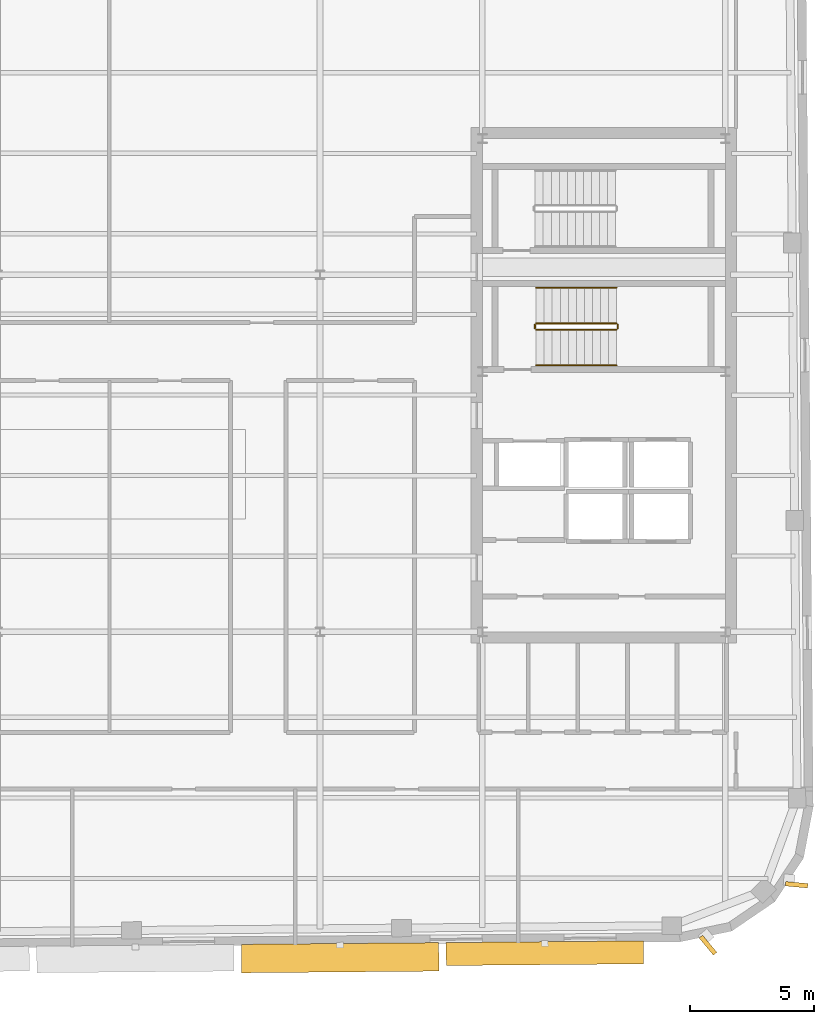
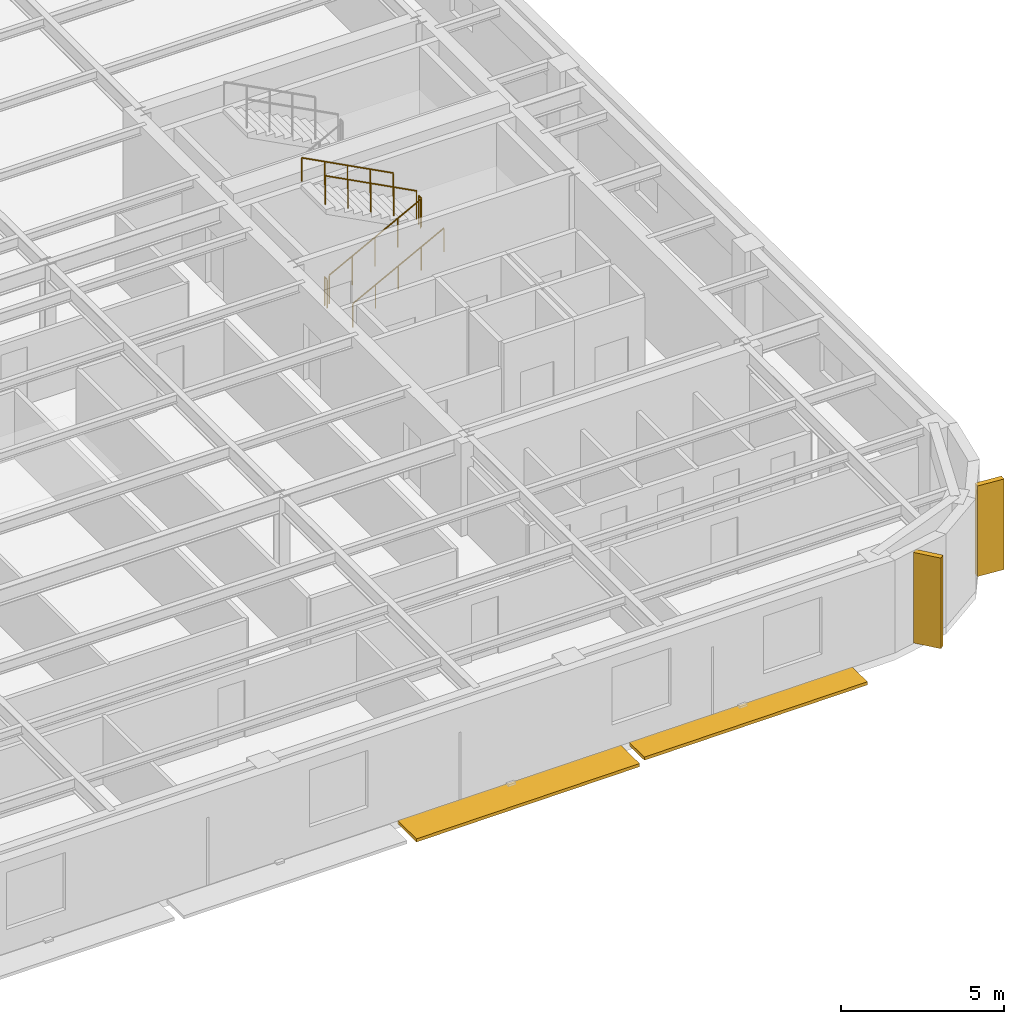
# One storey, part 13 of 15: 6 railings, 4 shading devices.
"""IFC4 building model written with IfcOpenShell, lengths in metres."""

import ifcopenshell
import ifcopenshell.guid

model = None  # the IFC model being written
_history = None  # IfcOwnerHistory: only IFC2X3 demands one
_inside = {}  # id of a spatial element -> (the spatial element, [elements in it])
_under = {}  # id of a project, library or spatial element -> (it, [spatial elements below it])
_declared = {}  # id of a project -> (the project, [libraries it declares])
_typed = {}  # id of a type object -> (the type object, [elements of that type])
_made_of = {}  # id of a material, layer set ... -> (it, [elements and type objects made of it])


def new_model(schema):
    """Start an empty IFC model of exactly this schema.

    Asked for "IFC4X3", IfcOpenShell would pick the latest addendum, in which some entities
    have other attributes; the version numbers below select the first issue.
    IFC2X3 requires an IfcOwnerHistory on every rooted entity: one is made here for all.
    """
    global model, _history
    if schema == "IFC4X3":
        model = ifcopenshell.file(schema_version=(4, 3, 0, 0))
    else:
        model = ifcopenshell.file(schema=schema)
    _inside.clear()
    _under.clear()
    _declared.clear()
    _typed.clear()
    _made_of.clear()
    _history = None
    if model.schema == "IFC2X3":
        org = make("IfcOrganization", Name="unknown")
        user = make(
            "IfcPersonAndOrganization",
            ThePerson=make("IfcPerson", FamilyName="unknown"),
            TheOrganization=org,
        )
        app = make(
            "IfcApplication",
            ApplicationDeveloper=org,
            Version="unknown",
            ApplicationFullName="unknown",
            ApplicationIdentifier="unknown",
        )
        _history = make(
            "IfcOwnerHistory",
            OwningUser=user,
            OwningApplication=app,
            ChangeAction="ADDED",
            CreationDate=0,
        )
    return model


def make(cls, **values):
    """One entity of the class cls with the attributes given. An attribute that is None is left unset."""
    return model.create_entity(
        cls, **{name: value for name, value in values.items() if value is not None}
    )


def rooted(cls, **values):
    """An entity with a GlobalId (a new one), such as an element, a storey or a relation."""
    return make(cls, GlobalId=ifcopenshell.guid.new(), OwnerHistory=_history, **values)


def si_unit(unit_type, name, prefix=None):
    """IfcSIUnit, for example si_unit("LENGTHUNIT", "METRE", prefix="MILLI")."""
    return make("IfcSIUnit", UnitType=unit_type, Prefix=prefix, Name=name)


def assignment(units):
    """IfcUnitAssignment: the units of a project."""
    return None if units is None else make("IfcUnitAssignment", Units=units)


def point(xyz):
    """IfcCartesianPoint."""
    return None if xyz is None else make("IfcCartesianPoint", Coordinates=xyz)


def direction(xyz):
    """IfcDirection."""
    return None if xyz is None else make("IfcDirection", DirectionRatios=xyz)


def frame(location, z_axis=None, x_axis=None):
    """IfcAxis2Placement3D, a coordinate frame: its origin and axes. An axis left out is left unset."""
    return make(
        "IfcAxis2Placement3D",
        Location=point(location),
        Axis=direction(z_axis),
        RefDirection=direction(x_axis),
    )


def frame_2d(location, x_axis=None):
    """IfcAxis2Placement2D, a coordinate frame in the plane: its origin and x axis."""
    return make(
        "IfcAxis2Placement2D", Location=point(location), RefDirection=direction(x_axis)
    )


def origin():
    """The frame at (0, 0, 0) with its axes left unset."""
    return frame((0.0, 0.0, 0.0))


def origin_2d():
    """The frame at (0, 0) in the plane with its x axis left unset."""
    return frame_2d((0.0, 0.0))


def place(relative_to, where):
    """IfcLocalPlacement: puts the frame where relative to a parent placement (None: the world)."""
    return make(
        "IfcLocalPlacement", PlacementRelTo=relative_to, RelativePlacement=where
    )


def context(
    kind, dimensions, precision=None, world=None, true_north=None, identifier=None
):
    """IfcGeometricRepresentationContext, for example the 3D "Model" context."""
    return make(
        "IfcGeometricRepresentationContext",
        ContextIdentifier=identifier,
        ContextType=kind,
        CoordinateSpaceDimension=dimensions,
        Precision=precision,
        WorldCoordinateSystem=world,
        TrueNorth=true_north,
    )


def subcontext(parent, identifier, kind, view, scale=None):
    """IfcGeometricRepresentationSubContext, for example "Body" below "Model"."""
    return make(
        "IfcGeometricRepresentationSubContext",
        ContextIdentifier=identifier,
        ContextType=kind,
        ParentContext=parent,
        TargetScale=scale,
        TargetView=view,
    )


def project(units=None, contexts=None):
    """IfcProject with its units and contexts."""
    return rooted(
        "IfcProject",
        Name="project",
        RepresentationContexts=contexts,
        UnitsInContext=assignment(units),
    )


def spatial(cls, under=None, at=None, **own):
    """A site, building, storey or space (cls), placed at a placement, below another one or the project."""
    s = rooted(cls, ObjectPlacement=at, **own)
    if under is not None:
        _under.setdefault(under.id(), (under, []))[1].append(s)
    return s


def profile(cls, at=None, kind="AREA", **sizes):
    """A parametric profile (cls). Its sizes go by their IFC names, for example OverallWidth=200.0."""
    return make(cls, ProfileType=kind, Position=at, **sizes)


def rectangle(**sizes):
    """IfcRectangleProfileDef."""
    return profile("IfcRectangleProfileDef", **sizes)


def circle(**sizes):
    """IfcCircleProfileDef."""
    return profile("IfcCircleProfileDef", **sizes)


def extrude(swept, where, along, depth):
    """IfcExtrudedAreaSolid: the profile swept, set in the frame where, extruded along a direction by depth."""
    return make(
        "IfcExtrudedAreaSolid",
        SweptArea=swept,
        Position=where,
        ExtrudedDirection=direction(along),
        Depth=depth,
    )


def shape(context_of_items, identifier, shape_type, items):
    """IfcShapeRepresentation: the items that make up one representation, for example the "Body"."""
    return make(
        "IfcShapeRepresentation",
        ContextOfItems=context_of_items,
        RepresentationIdentifier=identifier,
        RepresentationType=shape_type,
        Items=items,
    )


def material(Name=None, Category=None):
    """IfcMaterial."""
    return make("IfcMaterial", Name=Name, Category=Category)


def made_of(thing, what):
    """Note that an element or type object is made of a material, layer set ...; save() writes the relation."""
    if what is not None:
        _made_of.setdefault(what.id(), (what, []))[1].append(thing)
    return thing


def type_object(cls, material=None, **own):
    """A type object (cls), such as IfcWallType, which elements share."""
    return made_of(rooted(cls, **own), material)


def element(
    cls,
    number,
    at=None,
    inside=None,
    cuts=None,
    type_object=None,
    material=None,
    context=None,
    identifier="Body",
    shape_type=None,
    held_by="IfcProductDefinitionShape",
    body=None,
    shapes=None,
    **own,
):
    """One element of the class cls, such as IfcWall. Its Tag is "e" and its number.

    at: its placement. inside: the storey or other place that contains it. cuts: it is an
    opening in that element (IfcRelVoidsElement). A single representation is given by context,
    identifier, shape_type and body (its items); several are given by shapes. held_by: the class
    of the entity that holds the representations. save() writes the other relations.
    """
    e = rooted(cls, Tag="e%d" % number, ObjectPlacement=at, **own)
    if body is not None:
        shapes = [shape(context, identifier, shape_type, body)]
    if shapes is not None:
        e.Representation = make(held_by, Representations=shapes)
    if inside is not None:
        _inside.setdefault(inside.id(), (inside, []))[1].append(e)
    if cuts is not None:
        rooted(
            "IfcRelVoidsElement", RelatingBuildingElement=cuts, RelatedOpeningElement=e
        )
    if type_object is not None:
        _typed.setdefault(type_object.id(), (type_object, []))[1].append(e)
    return made_of(e, material)


def aggregate(whole, parts):
    """IfcRelAggregates: a whole, such as a stair, and the parts it consists of."""
    return rooted("IfcRelAggregates", RelatingObject=whole, RelatedObjects=parts)


def save(model, path):
    """Write the relations noted so far, then the file.

    IfcRelAggregates (storeys below a building ...), IfcRelContainedInSpatialStructure (elements
    in a storey), IfcRelDefinesByType, IfcRelAssociatesMaterial and IfcRelDeclares: one each for
    every whole, place, type object, material and project.
    """
    for whole, parts in _under.values():
        aggregate(whole, parts)
    for where, things in _inside.values():
        rooted(
            "IfcRelContainedInSpatialStructure",
            RelatedElements=things,
            RelatingStructure=where,
        )
    for kind, things in _typed.values():
        rooted("IfcRelDefinesByType", RelatedObjects=things, RelatingType=kind)
    for what, things in _made_of.values():
        rooted("IfcRelAssociatesMaterial", RelatedObjects=things, RelatingMaterial=what)
    for by, libraries in _declared.values():
        rooted("IfcRelDeclares", RelatingContext=by, RelatedDefinitions=libraries)
    model.write(path)


model = new_model("IFC4")

# Units and contexts
model_context = context("Model", 3, precision=1e-05, world=origin(), true_north=direction((0.0, 1.0)))
body_context = subcontext(model_context, "Body", "Model", "MODEL_VIEW")
ifc_project = project(units=[si_unit("LENGTHUNIT", "METRE"), si_unit("AREAUNIT", "SQUARE_METRE"), si_unit("VOLUMEUNIT", "CUBIC_METRE"), si_unit("PLANEANGLEUNIT", "RADIAN"), si_unit("MASSUNIT", "GRAM", prefix="KILO")], contexts=[model_context])

# Site, building, storey
site_placement = place(None, origin())
site = spatial("IfcSite", under=ifc_project, at=site_placement, CompositionType="ELEMENT")
building_placement = place(site_placement, origin())
building = spatial("IfcBuilding", under=site, at=building_placement, Name="Kolvaren Arena Tower", CompositionType="ELEMENT")
storey_placement = place(building_placement, frame((0.0, 0.0, 282.39990234375)))
storey = spatial("IfcBuildingStorey", under=building, at=storey_placement, Name="L69", CompositionType="ELEMENT", Elevation=282.39990234375)

# Railings
ifc_material_1 = material(Name="Painted galvanized steel", Category="steel")
railing_type_1 = type_object("IfcRailingType", Name="GUARD-ST-110", PredefinedType="GUARDRAIL", material=ifc_material_1)
railing_1_placement = place(storey_placement, frame((52.719970703125, 31.639892578125, 0.170654296875)))
element("IfcRailing", 1, at=railing_1_placement, inside=storey, type_object=railing_type_1, Name="L69 ST-E1 stair guard 1", PredefinedType="GUARDRAIL", context=body_context, shape_type="SweptSolid", body=[
    extrude(circle(Radius=0.02392578125, at=origin_2d()), frame((0.0, 0.0, 1.076171875), z_axis=(0.885020909582, 0.0, 0.465551274945), x_axis=(0.0, 1.0, 0.0)), (0.0, 0.0, 1.0), 3.660888671875),
    extrude(circle(Radius=0.02099609375, at=origin_2d()), origin(), (0.0, 0.0, 1.0), 1.052001953125),
    extrude(circle(Radius=0.02099609375, at=origin_2d()), frame((0.81005859375, 0.0, 0.426025390625)), (0.0, 0.0, 1.0), 1.052001953125),
    extrude(circle(Radius=0.02099609375, at=origin_2d()), frame((1.6201171875, 0.0, 0.85205078125)), (0.0, 0.0, 1.0), 1.052001953125),
    extrude(circle(Radius=0.02099609375, at=origin_2d()), frame((2.429931640625, 0.0, 1.2783203125)), (0.0, 0.0, 1.0), 1.052001953125),
    extrude(circle(Radius=0.02099609375, at=origin_2d()), frame((3.239990234375, 0.0, 1.704345703125)), (0.0, 0.0, 1.0), 1.052001953125),
])
railing_2_placement = place(storey_placement, frame((56.010009765625, 31.68994140625, 1.875)))
element("IfcRailing", 2, at=railing_2_placement, inside=storey, type_object=railing_type_1, Name="L69 ST-E1 stair guard 2", PredefinedType="GUARDRAIL", context=body_context, shape_type="SweptSolid", body=[
    extrude(circle(Radius=0.02392578125, at=origin_2d()), frame((0.0, 0.0, 1.076171875), z_axis=(0.0, 1.0, 0.0), x_axis=(-1.0, 0.0, 0.0)), (0.0, 0.0, 1.0), 0.150146484375),
    extrude(circle(Radius=0.02099609375, at=origin_2d()), origin(), (0.0, 0.0, 1.0), 1.052001953125),
    extrude(circle(Radius=0.02099609375, at=origin_2d()), frame((0.0, 0.150146484375, 0.0)), (0.0, 0.0, 1.0), 1.052001953125),
])
railing_3_placement = place(storey_placement, frame((55.9599609375, 31.889892578125, 2.045654296875)))
element("IfcRailing", 3, at=railing_3_placement, inside=storey, type_object=railing_type_1, Name="L69 ST-E1 stair guard 3", PredefinedType="GUARDRAIL", context=body_context, shape_type="SweptSolid", body=[
    extrude(circle(Radius=0.02392578125, at=origin_2d()), frame((0.0, 0.0, 1.076171875), z_axis=(-0.885020909582, 0.0, 0.465551274945), x_axis=(0.0, -1.0, 0.0)), (0.0, 0.0, 1.0), 3.660888671875),
    extrude(circle(Radius=0.02099609375, at=origin_2d()), origin(), (0.0, 0.0, 1.0), 1.052001953125),
    extrude(circle(Radius=0.02099609375, at=origin_2d()), frame((-0.81005859375, 0.0, 0.426025390625)), (0.0, 0.0, 1.0), 1.052001953125),
    extrude(circle(Radius=0.02099609375, at=origin_2d()), frame((-1.6201171875, 0.0, 0.85205078125)), (0.0, 0.0, 1.0), 1.052001953125),
    extrude(circle(Radius=0.02099609375, at=origin_2d()), frame((-2.429931640625, 0.0, 1.2783203125)), (0.0, 0.0, 1.0), 1.052001953125),
    extrude(circle(Radius=0.02099609375, at=origin_2d()), frame((-3.239990234375, 0.0, 1.704345703125)), (0.0, 0.0, 1.0), 1.052001953125),
])
railing_4_placement = place(storey_placement, frame((52.669921875, 31.68994140625, 0.0)))
element("IfcRailing", 4, at=railing_4_placement, inside=storey, type_object=railing_type_1, Name="L69 ST-E1 stair guard 4", PredefinedType="GUARDRAIL", context=body_context, shape_type="SweptSolid", body=[
    extrude(circle(Radius=0.02392578125, at=origin_2d()), frame((0.0, 0.0, 1.076171875), z_axis=(0.0, 1.0, 0.0), x_axis=(-1.0, 0.0, 0.0)), (0.0, 0.0, 1.0), 0.150146484375),
    extrude(circle(Radius=0.02099609375, at=origin_2d()), origin(), (0.0, 0.0, 1.0), 1.052001953125),
    extrude(circle(Radius=0.02099609375, at=origin_2d()), frame((0.0, 0.150146484375, 0.0)), (0.0, 0.0, 1.0), 1.052001953125),
])
ifc_material_2 = material(Name="Brushed stainless steel handrail", Category="steel")
railing_type_2 = type_object("IfcRailingType", Name="HRAIL-900", PredefinedType="HANDRAIL", material=ifc_material_2)
railing_5_placement = place(storey_placement, frame((52.719970703125, 30.199951171875, 0.170654296875)))
element("IfcRailing", 5, at=railing_5_placement, inside=storey, type_object=railing_type_2, Name="L69 ST-E1 stair handrail 1", PredefinedType="HANDRAIL", context=body_context, shape_type="SweptSolid", body=[
    extrude(circle(Radius=0.02392578125, at=origin_2d()), frame((0.0, 0.0, 0.8759765625), z_axis=(0.885020909582, 0.0, 0.465551274945), x_axis=(0.0, 1.0, 0.0)), (0.0, 0.0, 1.0), 3.660888671875),
    extrude(circle(Radius=0.02099609375, at=origin_2d()), origin(), (0.0, 0.0, 1.0), 0.851806640625),
    extrude(circle(Radius=0.02099609375, at=origin_2d()), frame((0.81005859375, 0.0, 0.426025390625)), (0.0, 0.0, 1.0), 0.851806640625),
    extrude(circle(Radius=0.02099609375, at=origin_2d()), frame((1.6201171875, 0.0, 0.85205078125)), (0.0, 0.0, 1.0), 0.851806640625),
    extrude(circle(Radius=0.02099609375, at=origin_2d()), frame((2.429931640625, 0.0, 1.2783203125)), (0.0, 0.0, 1.0), 0.851806640625),
    extrude(circle(Radius=0.02099609375, at=origin_2d()), frame((3.239990234375, 0.0, 1.704345703125)), (0.0, 0.0, 1.0), 0.851806640625),
])
railing_6_placement = place(storey_placement, frame((55.9599609375, 33.330078125, 2.045654296875)))
element("IfcRailing", 6, at=railing_6_placement, inside=storey, type_object=railing_type_2, Name="L69 ST-E1 stair handrail 2", PredefinedType="HANDRAIL", context=body_context, shape_type="SweptSolid", body=[
    extrude(circle(Radius=0.02392578125, at=origin_2d()), frame((0.0, 0.0, 0.8759765625), z_axis=(-0.885020909582, 0.0, 0.465551274945), x_axis=(0.0, -1.0, 0.0)), (0.0, 0.0, 1.0), 3.660888671875),
    extrude(circle(Radius=0.02099609375, at=origin_2d()), origin(), (0.0, 0.0, 1.0), 0.851806640625),
    extrude(circle(Radius=0.02099609375, at=origin_2d()), frame((-0.81005859375, 0.0, 0.426025390625)), (0.0, 0.0, 1.0), 0.851806640625),
    extrude(circle(Radius=0.02099609375, at=origin_2d()), frame((-1.6201171875, 0.0, 0.85205078125)), (0.0, 0.0, 1.0), 0.851806640625),
    extrude(circle(Radius=0.02099609375, at=origin_2d()), frame((-2.429931640625, 0.0, 1.2783203125)), (0.0, 0.0, 1.0), 0.851806640625),
    extrude(circle(Radius=0.02099609375, at=origin_2d()), frame((-3.239990234375, 0.0, 1.704345703125)), (0.0, 0.0, 1.0), 0.851806640625),
])

# Shading devices
ifc_material_3 = material(Name="Precast architectural concrete C50/60 rib fin", Category="concrete")
shading_device_type_1 = type_object("IfcShadingDeviceType", Name="SHAD-FIN-28", PredefinedType="USERDEFINED", material=ifc_material_3)
for number, where, z_axis, x_axis, name in (
    (7, (59.650634765625, 6.80615234375, 0.020263671875), (0.0, 0.0, 1.0), (0.639409480102, -0.768866384202, 0.0), "Precast 28-Deg Corner Rib Fin (L69)"),
    (8, (63.22900390625, 9.24267578125, 0.020263671875), (0.0, 0.0, 1.0), (0.995807961336, -0.091468596471, 0.0), "Precast 28-Deg Corner Rib Fin (L69)"),
):
    element("IfcShadingDevice", number, at=place(storey_placement, frame(where, z_axis=z_axis, x_axis=x_axis)), inside=storey, type_object=shading_device_type_1, Name=name, ObjectType="FIN", PredefinedType="USERDEFINED", context=body_context, shape_type="SweptSolid", body=[
        extrude(rectangle(XDim=0.89990234375, YDim=0.179931640625, at=origin_2d()), origin(), (0.0, 0.0, 1.0), 3.39990234375),
    ])
ifc_material_4 = material(Name="Architectural precast GFRC and anodised aluminium sunshade", Category="concrete")
shading_device_type_2 = type_object("IfcShadingDeviceType", Name="SHAD-SINE-A", PredefinedType="USERDEFINED", material=ifc_material_4)
shading_device_1_placement = place(storey_placement, frame((53.069580078125, 6.482421875, -0.139892578125), z_axis=(0.0, 0.0, 1.0), x_axis=(-0.999961923064, -0.008726535498, 0.0)))
element("IfcShadingDevice", 9, at=shading_device_1_placement, inside=storey, type_object=shading_device_type_2, Name="Sinusoidal Slab-Edge Sunshade Louvre (L69)", ObjectType="LOUVRE", PredefinedType="USERDEFINED", context=body_context, shape_type="SweptSolid", body=[
    extrude(rectangle(XDim=7.9599609375, YDim=0.927978515625, at=origin_2d()), origin(), (0.0, 0.0, 1.0), 0.1201171875),
])
shading_device_2_placement = place(storey_placement, frame((44.81103515625, 6.2998046875, -0.139892578125), z_axis=(0.0, 0.0, 1.0), x_axis=(-0.999961923064, -0.008726535498, 0.0)))
element("IfcShadingDevice", 10, at=shading_device_2_placement, inside=storey, type_object=shading_device_type_2, Name="Sinusoidal Slab-Edge Sunshade Louvre (L69)", ObjectType="LOUVRE", PredefinedType="USERDEFINED", context=body_context, shape_type="SweptSolid", body=[
    extrude(rectangle(XDim=7.9599609375, YDim=1.14892578125, at=origin_2d()), origin(), (0.0, 0.0, 1.0), 0.1201171875),
])

save(model, "model.ifc")
